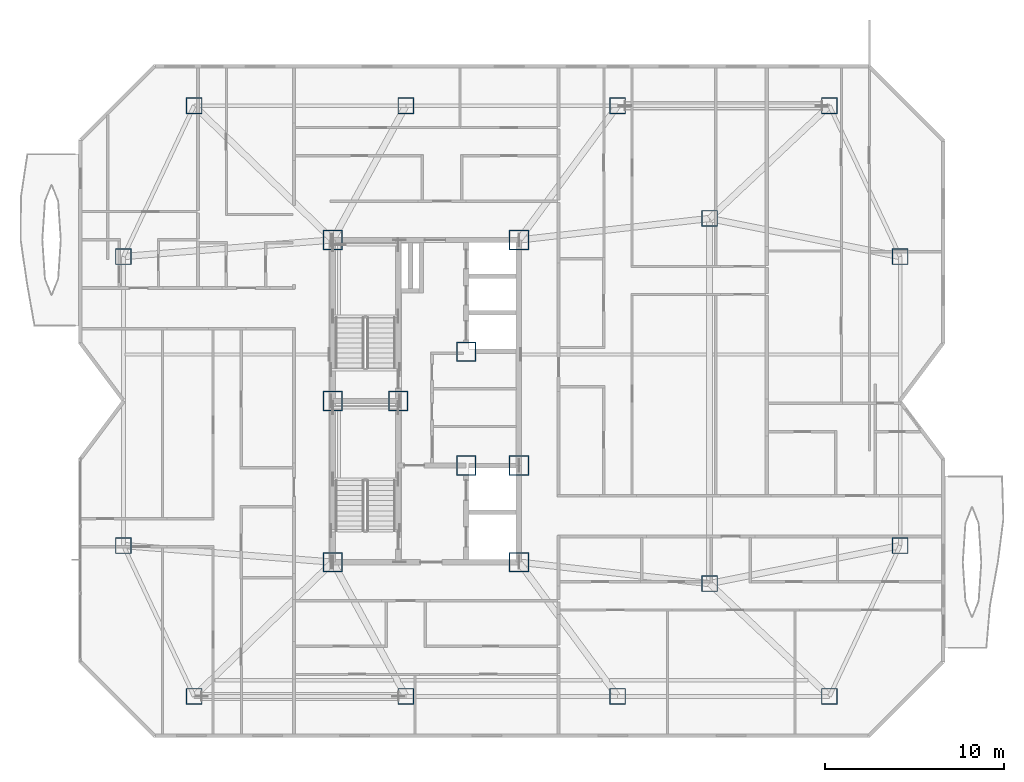
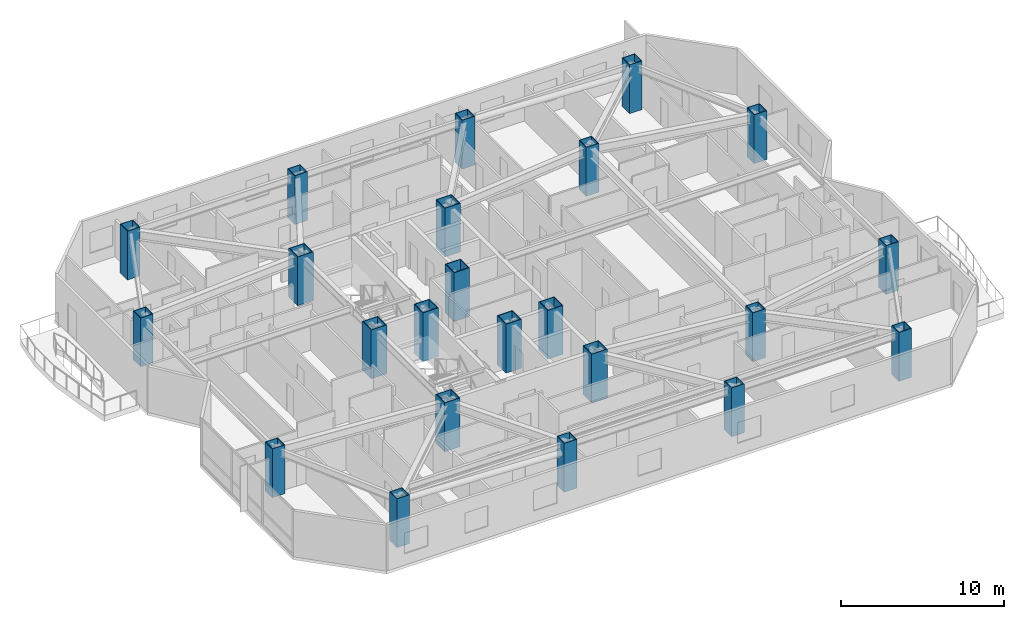
# One storey, part 1 of 16: 23 columns.
"""IFC4 building model written with IfcOpenShell, lengths in metres."""

from ifc_helpers import new_model, si_unit, direction, frame, origin, origin_2d, place, context, subcontext, project, spatial, hollow_rectangle, extrude, material, material_profile, profile_set, type_object, element, save


model = new_model("IFC4")

# Units and contexts
model_context = context("Model", 3, precision=1e-05, world=origin(), true_north=direction((0.0, 1.0)))
body_context = subcontext(model_context, "Body", "Model", "MODEL_VIEW")
ifc_project = project(units=[si_unit("LENGTHUNIT", "METRE"), si_unit("AREAUNIT", "SQUARE_METRE"), si_unit("VOLUMEUNIT", "CUBIC_METRE"), si_unit("PLANEANGLEUNIT", "RADIAN"), si_unit("MASSUNIT", "GRAM", prefix="KILO")], contexts=[model_context])

# Site, building, storey
site_placement = place(None, origin())
site = spatial("IfcSite", under=ifc_project, at=site_placement, CompositionType="ELEMENT")
building_placement = place(site_placement, origin())
building = spatial("IfcBuilding", under=site, at=building_placement, Name="Khamvora Tower", CompositionType="ELEMENT")
storey_placement = place(building_placement, frame((0.0, 0.0, 170.5)))
storey = spatial("IfcBuildingStorey", under=building, at=storey_placement, Name="L43", CompositionType="ELEMENT", Elevation=170.5)

# Columns
ifc_material_1 = material(Name="Steel S460", Category="steel")
ifc_material_profile_1 = material_profile(ifc_material_1, hollow_rectangle(XDim=1.10009765625, YDim=1.10009765625, WallThickness=0.054931640625, at=origin_2d()), Name="BOX1100x1100x55")
ifc_profile_set_1 = profile_set([ifc_material_profile_1], Name="Steel S460")
column_type_1 = type_object("IfcColumnType", Name="COL-BOX1100", PredefinedType="COLUMN", material=ifc_profile_set_1)
for number, where, z_axis, x_axis, name in (
    (1, (29.0, 19.0, 0.0), (0.0, 0.0, 1.0), (1.0, 0.0, 0.0), "L43 plumb core spine column SC1"),
    (2, (32.64990234375, 28.0, 0.0), (0.0, 0.0, 1.0), (1.0, 0.0, 0.0), "L43 plumb core spine column SC2"),
    (3, (39.39990234375, 19.0, 0.0), (0.0, 0.0, 1.0), (1.0, 0.0, 0.0), "L43 plumb core spine column SC3"),
    (4, (29.0, 28.0, 0.0), (0.0, 0.0, 1.0), (1.0, 0.0, 0.0), "L43 plumb core spine column SC4"),
    (5, (36.449951171875, 24.39990234375, 0.0), (0.0, 0.0, 1.0), (1.0, 0.0, 0.0), "L43 plumb core spine column SC5"),
    (6, (39.39990234375, 24.39990234375, 0.0), (0.0, 0.0, 1.0), (1.0, 0.0, 0.0), "L43 plumb core spine column SC6"),
    (7, (29.0, 37.0, 0.0), (0.0, 0.0, 1.0), (1.0, 0.0, 0.0), "L43 plumb core spine column SC7"),
    (8, (36.449951171875, 30.75, 0.0), (0.0, 0.0, 1.0), (1.0, 0.0, 0.0), "L43 plumb core spine column SC8"),
    (9, (39.39990234375, 37.0, 0.0), (0.0, 0.0, 1.0), (1.0, 0.0, 0.0), "L43 plumb core spine column SC9"),
):
    element("IfcColumn", number, at=place(storey_placement, frame(where, z_axis=z_axis, x_axis=x_axis)), inside=storey, type_object=column_type_1, Name=name, PredefinedType="COLUMN", context=body_context, shape_type="SweptSolid", body=[
        extrude(hollow_rectangle(XDim=1.10009765625, YDim=1.10009765625, WallThickness=0.054931640625, at=origin_2d()), origin(), (0.0, 0.0, 1.0), 3.64990234375),
    ])
ifc_material_2 = material(Name="Steel S355", Category="steel")
ifc_material_profile_2 = material_profile(ifc_material_2, hollow_rectangle(XDim=0.89990234375, YDim=0.89990234375, WallThickness=0.044921875, at=origin_2d()), Name="BOX900x900x45")
ifc_profile_set_2 = profile_set([ifc_material_profile_2], Name="Steel S355")
column_type_2 = type_object("IfcColumnType", Name="COL-BOX900", PredefinedType="COLUMN", material=ifc_profile_set_2)
for number, where, z_axis, x_axis, name in (
    (10, (21.25, 11.5, 0.0), (0.0, 0.0, 1.0), (1.0, 0.0, 0.0), "L43 structural frame column S1"),
    (11, (33.0830078125, 11.5, 0.0), (0.0, 0.0, 1.0), (1.0, 0.0, 0.0), "L43 structural frame column S2"),
    (12, (44.9169921875, 11.5, 0.0), (0.0, 0.0, 1.0), (1.0, 0.0, 0.0), "L43 structural frame column S3"),
    (13, (56.75, 11.5, 0.0), (0.0, 0.0, 1.0), (1.0, 0.0, 0.0), "L43 structural frame column S4"),
    (14, (21.25, 44.5, 0.0), (0.0, 0.0, 1.0), (1.0, 0.0, 0.0), "L43 structural frame column N1"),
    (15, (33.0830078125, 44.5, 0.0), (0.0, 0.0, 1.0), (1.0, 0.0, 0.0), "L43 structural frame column N2"),
    (16, (44.9169921875, 44.5, 0.0), (0.0, 0.0, 1.0), (1.0, 0.0, 0.0), "L43 structural frame column N3"),
    (17, (56.75, 44.5, 0.0), (0.0, 0.0, 1.0), (1.0, 0.0, 0.0), "L43 structural frame column N4"),
    (18, (17.300048828125, 19.925048828125, 0.0), (0.0, 0.0, 1.0), (1.0, 0.0, 0.0), "L43 structural frame column W1"),
    (19, (17.300048828125, 36.074951171875, 0.0), (0.0, 0.0, 1.0), (1.0, 0.0, 0.0), "L43 structural frame column W2"),
    (20, (60.699951171875, 19.925048828125, 0.0), (0.0, 0.0, 1.0), (1.0, 0.0, 0.0), "L43 structural frame column E1"),
    (21, (60.699951171875, 36.074951171875, 0.0), (0.0, 0.0, 1.0), (1.0, 0.0, 0.0), "L43 structural frame column E2"),
    (22, (50.050048828125, 17.800048828125, 0.0), (0.0, 0.0, 1.0), (1.0, 0.0, 0.0), "L43 structural frame column M1"),
    (23, (50.050048828125, 38.199951171875, 0.0), (0.0, 0.0, 1.0), (1.0, 0.0, 0.0), "L43 structural frame column M2"),
):
    element("IfcColumn", number, at=place(storey_placement, frame(where, z_axis=z_axis, x_axis=x_axis)), inside=storey, type_object=column_type_2, Name=name, PredefinedType="COLUMN", context=body_context, shape_type="SweptSolid", body=[
        extrude(hollow_rectangle(XDim=0.89990234375, YDim=0.89990234375, WallThickness=0.044921875, at=origin_2d()), origin(), (0.0, 0.0, 1.0), 3.64990234375),
    ])

save(model, "model.ifc")
